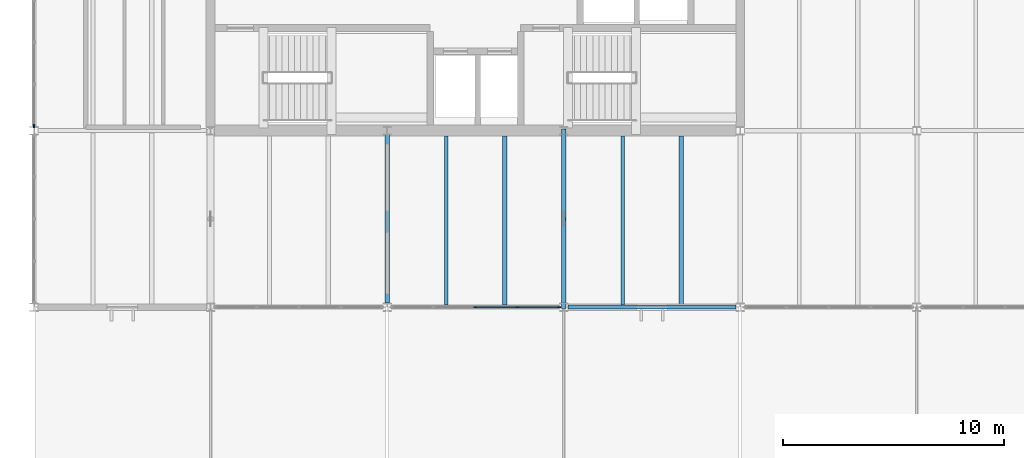
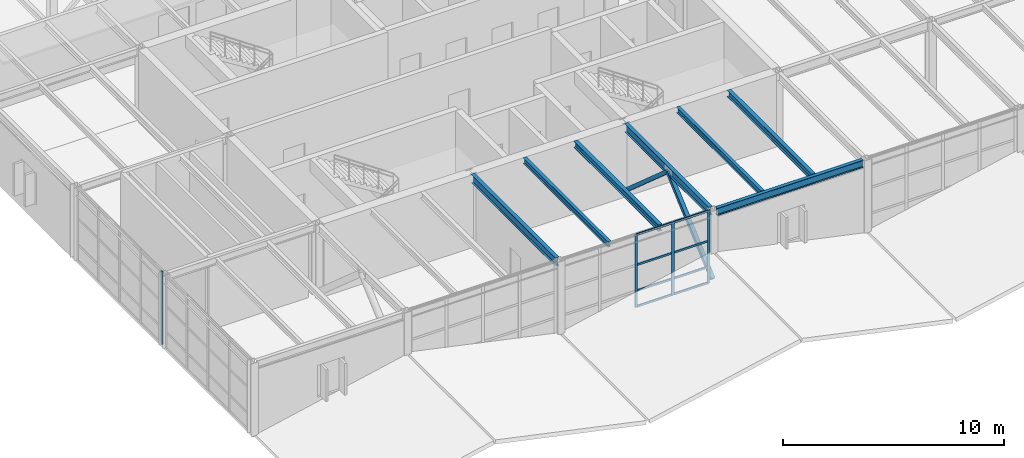
# One storey, part 7 of 34: 14 members, 7 beams, 2 elements without a shape of their own.
"""IFC4 building model written with IfcOpenShell, lengths in metres."""

from ifc_helpers import new_model, si_unit, direction, frame, origin, origin_2d, place, context, subcontext, project, spatial, rectangle, hollow_rectangle, i_section, extrude, material, layer, layer_set, material_profile, profile_set, type_object, element, aggregate, save


model = new_model("IFC4")

# Units and contexts
model_context = context("Model", 3, precision=1e-05, world=origin(), true_north=direction((0.0, 1.0)))
body_context = subcontext(model_context, "Body", "Model", "MODEL_VIEW")
ifc_project = project(units=[si_unit("LENGTHUNIT", "METRE"), si_unit("AREAUNIT", "SQUARE_METRE"), si_unit("VOLUMEUNIT", "CUBIC_METRE"), si_unit("PLANEANGLEUNIT", "RADIAN"), si_unit("MASSUNIT", "GRAM", prefix="KILO")], contexts=[model_context])

# Site, building, storey
site_placement = place(None, origin())
site = spatial("IfcSite", under=ifc_project, at=site_placement, CompositionType="ELEMENT")
building_placement = place(site_placement, origin())
building = spatial("IfcBuilding", under=site, at=building_placement, Name="Varnela Railside Interchange", CompositionType="ELEMENT")
storey_placement = place(building_placement, frame((0.0, 0.0, 19.60009765625)))
storey = spatial("IfcBuildingStorey", under=building, at=storey_placement, Name="L04", CompositionType="ELEMENT", Elevation=19.60009765625)

# Beams
ifc_material_1 = material(Name="Steel AR 350 (350 MPa)", Category="steel")
ifc_material_profile_1 = material_profile(ifc_material_1, i_section(OverallWidth=0.1650390625, OverallDepth=0.31005859375, WebThickness=0.005859375, FlangeThickness=0.009765625, at=origin_2d()), Name="W310x38.7")
ifc_profile_set_1 = profile_set([ifc_material_profile_1], Name="Steel AR 350 (350 MPa)")
beam_type_1 = type_object("IfcBeamType", Name="Composite Floor Joist J-04", PredefinedType="JOIST", material=ifc_profile_set_1)
for number, where, z_axis, x_axis, name in (
    (1, (22.669921875, 46.1044921875, 3.864990234375), (0.0, 1.0, 0.0), (-1.0, 0.0, 0.0), "Composite Floor Joist J-04 (L04) (BM-2388)"),
    (2, (30.669921875, 46.1044921875, 3.864990234375), (0.0, 1.0, 0.0), (-1.0, 0.0, 0.0), "Composite Floor Joist J-04 (L04) (BM-2396)"),
):
    element("IfcBeam", number, at=place(storey_placement, frame(where, z_axis=z_axis, x_axis=x_axis)), inside=storey, type_object=beam_type_1, Name=name, PredefinedType="JOIST", context=body_context, shape_type="SweptSolid", body=[
        extrude(i_section(OverallWidth=0.1650390625, OverallDepth=0.31005859375, WebThickness=0.005859375, FlangeThickness=0.009765625, at=origin_2d()), origin(), (0.0, 0.0, 1.0), 7.655517578125),
    ])
ifc_material_profile_2 = material_profile(ifc_material_1, i_section(OverallWidth=0.202880859375, OverallDepth=0.346923828125, WebThickness=0.0078125, FlangeThickness=0.013427734375, at=origin_2d()), Name="W360x64")
ifc_profile_set_2 = profile_set([ifc_material_profile_2], Name="Steel AR 350 (350 MPa)")
beam_type_2 = type_object("IfcBeamType", Name="Composite Heavy Joist J-01", PredefinedType="JOIST", material=ifc_profile_set_2)
for number, where, z_axis, x_axis, name in (
    (3, (25.330078125, 46.1044921875, 3.846435546875), (0.0, 1.0, 0.0), (-1.0, 0.0, 0.0), "Composite Heavy Joist J-01 (L04) (BM-2389)"),
    (4, (33.330078125, 46.1044921875, 3.846435546875), (0.0, 1.0, 0.0), (-1.0, 0.0, 0.0), "Composite Heavy Joist J-01 (L04) (BM-2397)"),
):
    element("IfcBeam", number, at=place(storey_placement, frame(where, z_axis=z_axis, x_axis=x_axis)), inside=storey, type_object=beam_type_2, Name=name, PredefinedType="JOIST", context=body_context, shape_type="SweptSolid", body=[
        extrude(i_section(OverallWidth=0.202880859375, OverallDepth=0.346923828125, WebThickness=0.0078125, FlangeThickness=0.013427734375, at=origin_2d()), origin(), (0.0, 0.0, 1.0), 7.655517578125),
    ])

# Curtain wall, members
ifc_material_2 = material(Name="Aluminium 6063-T6", Category="aluminium")
ifc_layer = layer(ifc_material_2, 0.035888671875)
ifc_layer_set = layer_set([ifc_layer], Name="Aluminium 6063-T6")
curtain_wall_type = type_object("IfcCurtainWallType", Name="Operations Wing Facade Curtain Wall CW-03", PredefinedType="USERDEFINED", material=ifc_layer_set)
curtain_wall_1_placement = place(storey_placement, origin())
curtain_wall_1 = element("IfcCurtainWall", 5, at=curtain_wall_1_placement, inside=storey, type_object=curtain_wall_type, Name="Curtain Wall CW-03 (L04) (CW-118)", ObjectType="CURTAIN WALL", PredefinedType="USERDEFINED")
ifc_material_profile_3 = material_profile(ifc_material_2, rectangle(XDim=0.06005859375, YDim=0.139892578125, at=origin_2d()), Name="ALU 60x140")
ifc_profile_set_3 = profile_set([ifc_material_profile_3], Name="Aluminium 6063-T6")
member_type_1 = type_object("IfcMemberType", Name="Curtain Wall Mullion ML-01", PredefinedType="MULLION", material=ifc_profile_set_3)
member_1_placement = place(storey_placement, frame((27.784912109375, 46.0, 0.0), z_axis=(0.0, 0.0, 1.0), x_axis=(0.0, -1.0, 0.0)))
member_1 = element("IfcMember", 6, at=member_1_placement, type_object=member_type_1, Name="CW-03 mullion 1", PredefinedType="MULLION", context=body_context, shape_type="SweptSolid", body=[
    extrude(rectangle(XDim=0.06005859375, YDim=0.139892578125, at=origin_2d()), origin(), (0.0, 0.0, 1.0), 4.02001953125),
])
member_2_placement = place(storey_placement, frame((25.907470703125, 46.0, 0.0), z_axis=(0.0, 0.0, 1.0), x_axis=(0.0, -1.0, 0.0)))
member_2 = element("IfcMember", 7, at=member_2_placement, type_object=member_type_1, Name="CW-03 mullion 2", PredefinedType="MULLION", context=body_context, shape_type="SweptSolid", body=[
    extrude(rectangle(XDim=0.06005859375, YDim=0.139892578125, at=origin_2d()), origin(), (0.0, 0.0, 1.0), 4.02001953125),
])
member_3_placement = place(storey_placement, frame((24.0, 46.0, 0.0), z_axis=(0.0, 0.0, 1.0), x_axis=(0.0, -1.0, 0.0)))
member_3 = element("IfcMember", 8, at=member_3_placement, type_object=member_type_1, Name="CW-03 mullion 3", PredefinedType="MULLION", context=body_context, shape_type="SweptSolid", body=[
    extrude(rectangle(XDim=0.06005859375, YDim=0.139892578125, at=origin_2d()), origin(), (0.0, 0.0, 1.0), 4.02001953125),
])

# Curtain wall, member
curtain_wall_2_placement = place(storey_placement, origin())
curtain_wall_2 = element("IfcCurtainWall", 9, at=curtain_wall_2_placement, inside=storey, type_object=curtain_wall_type, Name="Curtain Wall CW-03 (L04) (CW-122)", ObjectType="CURTAIN WALL", PredefinedType="USERDEFINED")
member_4_placement = place(storey_placement, frame((4.0, 54.2099609375, 0.0), z_axis=(0.0, 0.0, 1.0), x_axis=(-1.0, 0.0, 0.0)))
member_4 = element("IfcMember", 10, at=member_4_placement, type_object=member_type_1, Name="CW-03 mullion 1", PredefinedType="MULLION", context=body_context, shape_type="SweptSolid", body=[
    extrude(rectangle(XDim=0.06005859375, YDim=0.139892578125, at=origin_2d()), origin(), (0.0, 0.0, 1.0), 4.02001953125),
])
aggregate(curtain_wall_2, [member_4])

# Member
ifc_material_profile_4 = material_profile(ifc_material_2, rectangle(XDim=0.06005859375, YDim=0.110107421875, at=origin_2d()), Name="ALU 60x110")
ifc_profile_set_4 = profile_set([ifc_material_profile_4], Name="Aluminium 6063-T6")
member_type_2 = type_object("IfcMemberType", Name="Curtain Wall Transom TR-01", PredefinedType="USERDEFINED", material=ifc_profile_set_4)
member_5_placement = place(storey_placement, frame((27.7548828125, 46.0, 0.02978515625), z_axis=(-1.0, 0.0, 0.0), x_axis=(0.0, -1.0, 0.0)))
member_5 = element("IfcMember", 11, at=member_5_placement, type_object=member_type_2, Name="CW-03 transom 1.1", ObjectType="TRANSOM", PredefinedType="USERDEFINED", context=body_context, shape_type="SweptSolid", body=[
    extrude(rectangle(XDim=0.06005859375, YDim=0.110107421875, at=origin_2d()), origin(), (0.0, 0.0, 1.0), 1.8173828125),
])

member_6_placement = place(storey_placement, frame((27.7548828125, 46.0, 0.89990234375), z_axis=(-1.0, 0.0, 0.0), x_axis=(0.0, -1.0, 0.0)))
member_6 = element("IfcMember", 12, at=member_6_placement, type_object=member_type_2, Name="CW-03 transom 1.2", ObjectType="TRANSOM", PredefinedType="USERDEFINED", context=body_context, shape_type="SweptSolid", body=[
    extrude(rectangle(XDim=0.06005859375, YDim=0.110107421875, at=origin_2d()), origin(), (0.0, 0.0, 1.0), 1.8173828125),
])

member_7_placement = place(storey_placement, frame((27.7548828125, 46.0, 2.33154296875), z_axis=(-1.0, 0.0, 0.0), x_axis=(0.0, -1.0, 0.0)))
member_7 = element("IfcMember", 13, at=member_7_placement, type_object=member_type_2, Name="CW-03 transom 1.3", ObjectType="TRANSOM", PredefinedType="USERDEFINED", context=body_context, shape_type="SweptSolid", body=[
    extrude(rectangle(XDim=0.06005859375, YDim=0.110107421875, at=origin_2d()), origin(), (0.0, 0.0, 1.0), 1.8173828125),
])

member_8_placement = place(storey_placement, frame((27.7548828125, 46.0, 3.989990234375), z_axis=(-1.0, 0.0, 0.0), x_axis=(0.0, -1.0, 0.0)))
member_8 = element("IfcMember", 14, at=member_8_placement, type_object=member_type_2, Name="CW-03 transom 1.4", ObjectType="TRANSOM", PredefinedType="USERDEFINED", context=body_context, shape_type="SweptSolid", body=[
    extrude(rectangle(XDim=0.06005859375, YDim=0.110107421875, at=origin_2d()), origin(), (0.0, 0.0, 1.0), 1.8173828125),
])

member_9_placement = place(storey_placement, frame((25.87744140625, 46.0, 0.02978515625), z_axis=(-1.0, 0.0, 0.0), x_axis=(0.0, -1.0, 0.0)))
member_9 = element("IfcMember", 15, at=member_9_placement, type_object=member_type_2, Name="CW-03 transom 2.1", ObjectType="TRANSOM", PredefinedType="USERDEFINED", context=body_context, shape_type="SweptSolid", body=[
    extrude(rectangle(XDim=0.06005859375, YDim=0.110107421875, at=origin_2d()), origin(), (0.0, 0.0, 1.0), 1.847412109375),
])

member_10_placement = place(storey_placement, frame((25.87744140625, 46.0, 0.89990234375), z_axis=(-1.0, 0.0, 0.0), x_axis=(0.0, -1.0, 0.0)))
member_10 = element("IfcMember", 16, at=member_10_placement, type_object=member_type_2, Name="CW-03 transom 2.2", ObjectType="TRANSOM", PredefinedType="USERDEFINED", context=body_context, shape_type="SweptSolid", body=[
    extrude(rectangle(XDim=0.06005859375, YDim=0.110107421875, at=origin_2d()), origin(), (0.0, 0.0, 1.0), 1.847412109375),
])

member_11_placement = place(storey_placement, frame((25.87744140625, 46.0, 2.33154296875), z_axis=(-1.0, 0.0, 0.0), x_axis=(0.0, -1.0, 0.0)))
member_11 = element("IfcMember", 17, at=member_11_placement, type_object=member_type_2, Name="CW-03 transom 2.3", ObjectType="TRANSOM", PredefinedType="USERDEFINED", context=body_context, shape_type="SweptSolid", body=[
    extrude(rectangle(XDim=0.06005859375, YDim=0.110107421875, at=origin_2d()), origin(), (0.0, 0.0, 1.0), 1.847412109375),
])

member_12_placement = place(storey_placement, frame((25.87744140625, 46.0, 3.989990234375), z_axis=(-1.0, 0.0, 0.0), x_axis=(0.0, -1.0, 0.0)))
member_12 = element("IfcMember", 18, at=member_12_placement, type_object=member_type_2, Name="CW-03 transom 2.4", ObjectType="TRANSOM", PredefinedType="USERDEFINED", context=body_context, shape_type="SweptSolid", body=[
    extrude(rectangle(XDim=0.06005859375, YDim=0.110107421875, at=origin_2d()), origin(), (0.0, 0.0, 1.0), 1.847412109375),
])

aggregate(curtain_wall_1, [member_1, member_2, member_3, member_5, member_6, member_7, member_8, member_9, member_10, member_11, member_12])

# Members
ifc_material_profile_5 = material_profile(ifc_material_1, hollow_rectangle(XDim=0.199951171875, YDim=0.199951171875, WallThickness=0.012451171875, at=origin_2d()), Name="HSS 200x200x12.5")
ifc_profile_set_5 = profile_set([ifc_material_profile_5], Name="Steel AR 350 (350 MPa)")
member_type_3 = type_object("IfcMemberType", Name="Lateral Chevron Brace BR-06", PredefinedType="BRACE", material=ifc_profile_set_5)
for number, where, z_axis, x_axis, name in (
    (19, (28.0, 46.0, 0.14990234375), (0.0, 0.750711699002, 0.660629960706), (-1.0, 0.0, 0.0), "Lateral Chevron Brace BR-06 (L04) (MB-0168)"),
    (20, (28.0, 54.0, 0.14990234375), (0.0, -0.750711699002, 0.660629960706), (1.0, 0.0, 0.0), "Lateral Chevron Brace BR-06 (L04) (MB-0169)"),
):
    element("IfcMember", number, at=place(storey_placement, frame(where, z_axis=z_axis, x_axis=x_axis)), inside=storey, type_object=member_type_3, Name=name, PredefinedType="BRACE", context=body_context, shape_type="SweptSolid", body=[
        extrude(hollow_rectangle(XDim=0.199951171875, YDim=0.199951171875, WallThickness=0.012451171875, at=origin_2d()), origin(), (0.0, 0.0, 1.0), 5.328369140625),
    ])

# Beams
ifc_material_profile_6 = material_profile(ifc_material_1, i_section(OverallWidth=0.19091796875, OverallDepth=0.4599609375, WebThickness=0.010009765625, FlangeThickness=0.01611328125, at=origin_2d()), Name="W460x82")
ifc_profile_set_6 = profile_set([ifc_material_profile_6], Name="Steel AR 350 (350 MPa)")
beam_type_3 = type_object("IfcBeamType", Name="Steel Perimeter Spandrel SP-01", PredefinedType="SPANDREL", material=ifc_profile_set_6)
for number, where, z_axis, x_axis, name in (
    (21, (20.0, 46.179931640625, 3.789794921875), (0.0, 1.0, 0.0), (-1.0, 0.0, 0.0), "Steel Perimeter Spandrel SP-01 (L04) (BM-2507)"),
    (22, (28.0, 46.179931640625, 3.789794921875), (0.0, 1.0, 0.0), (-1.0, 0.0, 0.0), "Steel Perimeter Spandrel SP-01 (L04) (BM-2511)"),
):
    element("IfcBeam", number, at=place(storey_placement, frame(where, z_axis=z_axis, x_axis=x_axis)), inside=storey, type_object=beam_type_3, Name=name, PredefinedType="SPANDREL", context=body_context, shape_type="SweptSolid", body=[
        extrude(i_section(OverallWidth=0.19091796875, OverallDepth=0.4599609375, WebThickness=0.010009765625, FlangeThickness=0.01611328125, at=origin_2d()), origin(), (0.0, 0.0, 1.0), 7.635986328125),
    ])
ifc_material_profile_7 = material_profile(ifc_material_1, i_section(OverallWidth=0.178955078125, OverallDepth=0.409912109375, WebThickness=0.0087890625, FlangeThickness=0.014404296875, at=origin_2d()), Name="W410x67")
ifc_profile_set_7 = profile_set([ifc_material_profile_7], Name="Steel AR 350 (350 MPa)")
beam_type_4 = type_object("IfcBeamType", Name="Steel Terrace Spandrel SP-02", PredefinedType="SPANDREL", material=ifc_profile_set_7)
beam_placement = place(storey_placement, frame((28.18505859375, 46.0, 3.81494140625), z_axis=(1.0, 0.0, 0.0), x_axis=(0.0, 1.0, 0.0)))
element("IfcBeam", 23, at=beam_placement, inside=storey, type_object=beam_type_4, Name="Steel Terrace Spandrel SP-02 (L04) (BM-2428)", PredefinedType="SPANDREL", context=body_context, shape_type="SweptSolid", body=[
    extrude(i_section(OverallWidth=0.178955078125, OverallDepth=0.409912109375, WebThickness=0.0087890625, FlangeThickness=0.014404296875, at=origin_2d()), origin(), (0.0, 0.0, 1.0), 7.6298828125),
])

save(model, "model.ifc")
